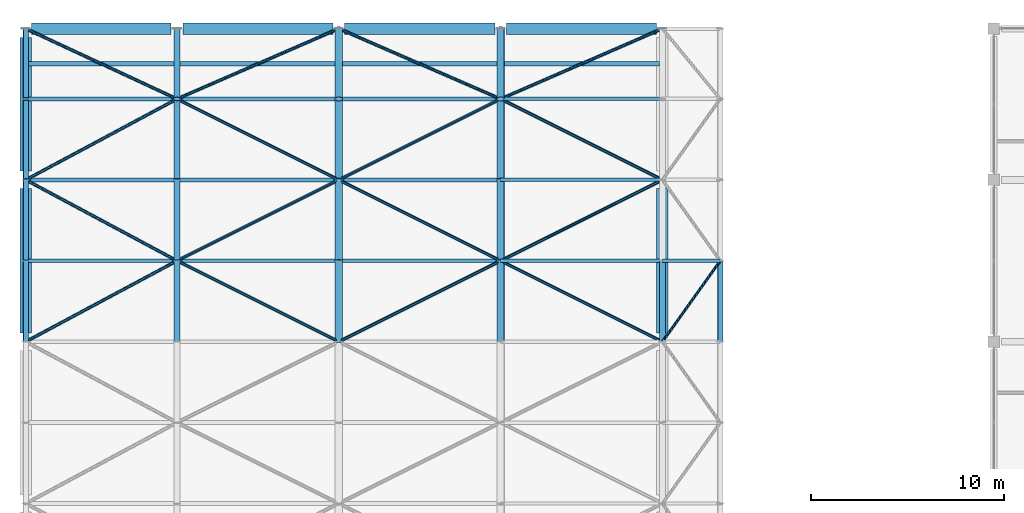
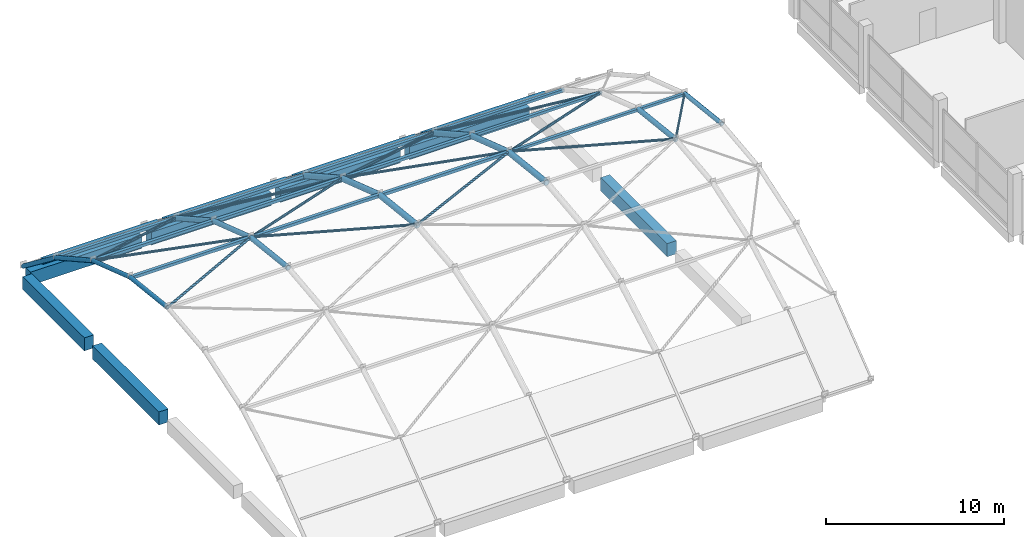
# One storey, part 4 of 38: 30 members, 29 beams.
"""IFC4 building model written with IfcOpenShell, lengths in metres."""

from ifc_helpers import new_model, si_unit, direction, frame, origin, origin_2d, place, context, subcontext, project, spatial, rectangle, hollow_rectangle, hollow_circle, i_section, extrude, material, material_profile, profile_set, type_object, element, save


model = new_model("IFC4")

# Units and contexts
model_context = context("Model", 3, precision=1e-05, world=origin(), true_north=direction((0.0, 1.0)))
body_context = subcontext(model_context, "Body", "Model", "MODEL_VIEW")
ifc_project = project(units=[si_unit("LENGTHUNIT", "METRE"), si_unit("AREAUNIT", "SQUARE_METRE"), si_unit("VOLUMEUNIT", "CUBIC_METRE"), si_unit("PLANEANGLEUNIT", "RADIAN"), si_unit("MASSUNIT", "GRAM", prefix="KILO")], contexts=[model_context])

# Site, building, storey
site_placement = place(None, origin())
site = spatial("IfcSite", under=ifc_project, at=site_placement, CompositionType="ELEMENT")
building_placement = place(site_placement, origin())
building = spatial("IfcBuilding", under=site, at=building_placement, Name="Brinegate Botanical Conservatory", CompositionType="ELEMENT")
storey_placement = place(building_placement, frame((0.0, 0.0, 10.199951171875)))
storey = spatial("IfcBuildingStorey", under=building, at=storey_placement, Name="L03", CompositionType="ELEMENT", Elevation=10.199951171875)

# Beams
ifc_material_1 = material(Name="Structural steel Q355B / S355", Category="steel")
ifc_material_profile_1 = material_profile(ifc_material_1, hollow_circle(Radius=0.16259765625, WallThickness=0.013916015625, at=origin_2d()), Name="CHS 325x14")
ifc_profile_set_1 = profile_set([ifc_material_profile_1], Name="Structural steel Q355B / S355")
beam_type_1 = type_object("IfcBeamType", Name="Beam_GA-01", PredefinedType="BEAM", material=ifc_profile_set_1)
beam_1_placement = place(storey_placement, frame((8.39990234375, 95.199951171875, 7.337646484375), z_axis=(0.0, 0.99382299669, -0.110976805013), x_axis=(-1.0, 0.0, 0.0)))
element("IfcBeam", 1, at=beam_1_placement, inside=storey, type_object=beam_type_1, Name="Conservatory vault arch rib GA-01 WP-014-WP-015", PredefinedType="BEAM", context=body_context, shape_type="SweptSolid", body=[
    extrude(hollow_circle(Radius=0.16259765625, WallThickness=0.013916015625, at=origin_2d()), origin(), (0.0, 0.0, 1.0), 4.22607421875),
])
beam_2_placement = place(storey_placement, frame((8.39990234375, 99.39990234375, 6.86865234375), z_axis=(0.0, 0.948280155902, -0.317434632518), x_axis=(-1.0, 0.0, 0.0)))
element("IfcBeam", 2, at=beam_2_placement, inside=storey, type_object=beam_type_1, Name="Conservatory vault arch rib GA-01 WP-015-WP-016", PredefinedType="BEAM", context=body_context, shape_type="SweptSolid", body=[
    extrude(hollow_circle(Radius=0.16259765625, WallThickness=0.013916015625, at=origin_2d()), origin(), (0.0, 0.0, 1.0), 4.42919921875),
])
beam_3_placement = place(storey_placement, frame((8.39990234375, 103.60009765625, 5.462646484375), z_axis=(0.0, 0.873212270068, -0.487340057253), x_axis=(-1.0, 0.0, 0.0)))
element("IfcBeam", 3, at=beam_3_placement, inside=storey, type_object=beam_type_1, Name="Conservatory vault arch rib GA-01 WP-016-WP-017", PredefinedType="BEAM", context=body_context, shape_type="SweptSolid", body=[
    extrude(hollow_circle(Radius=0.16259765625, WallThickness=0.013916015625, at=origin_2d()), origin(), (0.0, 0.0, 1.0), 4.809814453125),
])
beam_4_placement = place(storey_placement, frame((8.39990234375, 107.800048828125, 3.11865234375), z_axis=(0.0, 0.793623449281, -0.608409254328), x_axis=(-1.0, 0.0, 0.0)))
element("IfcBeam", 4, at=beam_4_placement, inside=storey, type_object=beam_type_1, Name="Conservatory vault arch rib GA-01 WP-017-WP-018", PredefinedType="BEAM", context=body_context, shape_type="SweptSolid", body=[
    extrude(hollow_circle(Radius=0.16259765625, WallThickness=0.013916015625, at=origin_2d()), origin(), (0.0, 0.0, 1.0), 4.59912109375),
])
beam_5_placement = place(storey_placement, frame((33.60009765625, 95.199951171875, 7.337646484375), z_axis=(0.0, 0.99382299669, -0.110976805013), x_axis=(-1.0, 0.0, 0.0)))
element("IfcBeam", 5, at=beam_5_placement, inside=storey, type_object=beam_type_1, Name="Conservatory vault arch rib GA-01 WP-041-WP-042", PredefinedType="BEAM", context=body_context, shape_type="SweptSolid", body=[
    extrude(hollow_circle(Radius=0.16259765625, WallThickness=0.013916015625, at=origin_2d()), origin(), (0.0, 0.0, 1.0), 4.22607421875),
])
ifc_material_profile_2 = material_profile(ifc_material_1, hollow_circle(Radius=0.136474609375, WallThickness=0.011962890625, at=origin_2d()), Name="CHS 273x12")
ifc_profile_set_2 = profile_set([ifc_material_profile_2], Name="Structural steel Q355B / S355")
beam_type_2 = type_object("IfcBeamType", Name="Beam_GA-02", PredefinedType="BEAM", material=ifc_profile_set_2)
beam_6_placement = place(storey_placement, frame((0.550048828125, 95.199951171875, 7.363525390625), z_axis=(0.0, 0.993829366657, -0.110919745625), x_axis=(-1.0, 0.0, 0.0)))
element("IfcBeam", 6, at=beam_6_placement, inside=storey, type_object=beam_type_2, Name="Conservatory vault arch rib GA-02 WP-005-WP-006", PredefinedType="BEAM", context=body_context, shape_type="SweptSolid", body=[
    extrude(hollow_circle(Radius=0.136474609375, WallThickness=0.011962890625, at=origin_2d()), origin(), (0.0, 0.0, 1.0), 4.22607421875),
])
beam_7_placement = place(storey_placement, frame((0.550048828125, 99.39990234375, 6.894775390625), z_axis=(0.0, 0.948263562918, -0.317484196838), x_axis=(-1.0, 0.0, 0.0)))
element("IfcBeam", 7, at=beam_7_placement, inside=storey, type_object=beam_type_2, Name="Conservatory vault arch rib GA-02 WP-006-WP-007", PredefinedType="BEAM", context=body_context, shape_type="SweptSolid", body=[
    extrude(hollow_circle(Radius=0.136474609375, WallThickness=0.011962890625, at=origin_2d()), origin(), (0.0, 0.0, 1.0), 4.429443359375),
])
beam_8_placement = place(storey_placement, frame((0.550048828125, 103.60009765625, 5.488525390625), z_axis=(0.0, 0.873233870432, -0.487301351866), x_axis=(-1.0, 0.0, 0.0)))
element("IfcBeam", 8, at=beam_8_placement, inside=storey, type_object=beam_type_2, Name="Conservatory vault arch rib GA-02 WP-007-WP-008", PredefinedType="BEAM", context=body_context, shape_type="SweptSolid", body=[
    extrude(hollow_circle(Radius=0.136474609375, WallThickness=0.011962890625, at=origin_2d()), origin(), (0.0, 0.0, 1.0), 4.8095703125),
])
beam_9_placement = place(storey_placement, frame((0.550048828125, 107.800048828125, 3.144775390625), z_axis=(0.0, 0.793597817339, -0.608442687782), x_axis=(-1.0, 0.0, 0.0)))
element("IfcBeam", 9, at=beam_9_placement, inside=storey, type_object=beam_type_2, Name="Conservatory vault arch rib GA-02 WP-008-WP-009", PredefinedType="BEAM", context=body_context, shape_type="SweptSolid", body=[
    extrude(hollow_circle(Radius=0.136474609375, WallThickness=0.011962890625, at=origin_2d()), origin(), (0.0, 0.0, 1.0), 4.59912109375),
])
beam_10_placement = place(storey_placement, frame((36.60009765625, 95.199951171875, 7.363525390625), z_axis=(0.0, 0.993829366657, -0.110919745625), x_axis=(-1.0, 0.0, 0.0)))
element("IfcBeam", 10, at=beam_10_placement, inside=storey, type_object=beam_type_2, Name="Conservatory vault arch rib GA-02 WP-050-WP-051", PredefinedType="BEAM", context=body_context, shape_type="SweptSolid", body=[
    extrude(hollow_circle(Radius=0.136474609375, WallThickness=0.011962890625, at=origin_2d()), origin(), (0.0, 0.0, 1.0), 4.22607421875),
])
ifc_material_profile_3 = material_profile(ifc_material_1, hollow_circle(Radius=0.1884765625, WallThickness=0.01611328125, at=origin_2d()), Name="CHS 377x16")
ifc_profile_set_3 = profile_set([ifc_material_profile_3], Name="Structural steel Q355B / S355")
beam_type_3 = type_object("IfcBeamType", Name="Beam_GA-03", PredefinedType="BEAM", material=ifc_profile_set_3)
beam_11_placement = place(storey_placement, frame((16.800048828125, 95.199951171875, 7.3115234375), z_axis=(0.0, 0.993829366657, -0.110919745625), x_axis=(-1.0, 0.0, 0.0)))
element("IfcBeam", 11, at=beam_11_placement, inside=storey, type_object=beam_type_3, Name="Conservatory vault arch rib GA-03 WP-023-WP-024", PredefinedType="BEAM", context=body_context, shape_type="SweptSolid", body=[
    extrude(hollow_circle(Radius=0.1884765625, WallThickness=0.01611328125, at=origin_2d()), origin(), (0.0, 0.0, 1.0), 4.22607421875),
])
beam_12_placement = place(storey_placement, frame((16.800048828125, 99.39990234375, 6.8427734375), z_axis=(0.0, 0.948263562918, -0.317484196838), x_axis=(-1.0, 0.0, 0.0)))
element("IfcBeam", 12, at=beam_12_placement, inside=storey, type_object=beam_type_3, Name="Conservatory vault arch rib GA-03 WP-024-WP-025", PredefinedType="BEAM", context=body_context, shape_type="SweptSolid", body=[
    extrude(hollow_circle(Radius=0.1884765625, WallThickness=0.01611328125, at=origin_2d()), origin(), (0.0, 0.0, 1.0), 4.429443359375),
])
beam_13_placement = place(storey_placement, frame((16.800048828125, 103.60009765625, 5.4365234375), z_axis=(0.0, 0.873233870432, -0.487301351866), x_axis=(-1.0, 0.0, 0.0)))
element("IfcBeam", 13, at=beam_13_placement, inside=storey, type_object=beam_type_3, Name="Conservatory vault arch rib GA-03 WP-025-WP-026", PredefinedType="BEAM", context=body_context, shape_type="SweptSolid", body=[
    extrude(hollow_circle(Radius=0.1884765625, WallThickness=0.01611328125, at=origin_2d()), origin(), (0.0, 0.0, 1.0), 4.8095703125),
])
beam_14_placement = place(storey_placement, frame((16.800048828125, 107.800048828125, 3.0927734375), z_axis=(0.0, 0.793597817339, -0.608442687782), x_axis=(-1.0, 0.0, 0.0)))
element("IfcBeam", 14, at=beam_14_placement, inside=storey, type_object=beam_type_3, Name="Conservatory vault arch rib GA-03 WP-026-WP-027", PredefinedType="BEAM", context=body_context, shape_type="SweptSolid", body=[
    extrude(hollow_circle(Radius=0.1884765625, WallThickness=0.01611328125, at=origin_2d()), origin(), (0.0, 0.0, 1.0), 4.59912109375),
])
beam_15_placement = place(storey_placement, frame((25.199951171875, 95.199951171875, 7.3115234375), z_axis=(0.0, 0.993829366657, -0.110919745625), x_axis=(-1.0, 0.0, 0.0)))
element("IfcBeam", 15, at=beam_15_placement, inside=storey, type_object=beam_type_3, Name="Conservatory vault arch rib GA-03 WP-032-WP-033", PredefinedType="BEAM", context=body_context, shape_type="SweptSolid", body=[
    extrude(hollow_circle(Radius=0.1884765625, WallThickness=0.01611328125, at=origin_2d()), origin(), (0.0, 0.0, 1.0), 4.22607421875),
])
beam_16_placement = place(storey_placement, frame((25.199951171875, 99.39990234375, 6.8427734375), z_axis=(0.0, 0.948263562918, -0.317484196838), x_axis=(-1.0, 0.0, 0.0)))
element("IfcBeam", 16, at=beam_16_placement, inside=storey, type_object=beam_type_3, Name="Conservatory vault arch rib GA-03 WP-033-WP-034", PredefinedType="BEAM", context=body_context, shape_type="SweptSolid", body=[
    extrude(hollow_circle(Radius=0.1884765625, WallThickness=0.01611328125, at=origin_2d()), origin(), (0.0, 0.0, 1.0), 4.429443359375),
])
beam_17_placement = place(storey_placement, frame((25.199951171875, 103.60009765625, 5.4365234375), z_axis=(0.0, 0.873233870432, -0.487301351866), x_axis=(-1.0, 0.0, 0.0)))
element("IfcBeam", 17, at=beam_17_placement, inside=storey, type_object=beam_type_3, Name="Conservatory vault arch rib GA-03 WP-034-WP-035", PredefinedType="BEAM", context=body_context, shape_type="SweptSolid", body=[
    extrude(hollow_circle(Radius=0.1884765625, WallThickness=0.01611328125, at=origin_2d()), origin(), (0.0, 0.0, 1.0), 4.8095703125),
])
beam_18_placement = place(storey_placement, frame((25.199951171875, 107.800048828125, 3.0927734375), z_axis=(0.0, 0.793597817339, -0.608442687782), x_axis=(-1.0, 0.0, 0.0)))
element("IfcBeam", 18, at=beam_18_placement, inside=storey, type_object=beam_type_3, Name="Conservatory vault arch rib GA-03 WP-035-WP-036", PredefinedType="BEAM", context=body_context, shape_type="SweptSolid", body=[
    extrude(hollow_circle(Radius=0.1884765625, WallThickness=0.01611328125, at=origin_2d()), origin(), (0.0, 0.0, 1.0), 4.59912109375),
])
ifc_material_2 = material(Name="Concrete C40/50", Category="concrete")
ifc_material_profile_4 = material_profile(ifc_material_2, rectangle(XDim=0.60009765625, YDim=0.89990234375, at=origin_2d()), Name="RC RB 600x900")
ifc_profile_set_4 = profile_set([ifc_material_profile_4], Name="Concrete C40/50")
beam_type_4 = type_object("IfcBeamType", Name="Beam_RB-V1", PredefinedType="BEAM", material=ifc_profile_set_4)
beam_19_placement = place(storey_placement, frame((0.85009765625, 111.449951171875, -0.449951171875), z_axis=(1.0, 0.0, 0.0), x_axis=(0.0, 1.0, 0.0)))
element("IfcBeam", 19, at=beam_19_placement, inside=storey, type_object=beam_type_4, Name="Conservatory vault ring beam RB-V1 north 1", PredefinedType="BEAM", context=body_context, shape_type="SweptSolid", body=[
    extrude(rectangle(XDim=0.60009765625, YDim=0.89990234375, at=origin_2d()), origin(), (0.0, 0.0, 1.0), 7.25),
])
beam_20_placement = place(storey_placement, frame((8.699951171875, 111.449951171875, -0.449951171875), z_axis=(1.0, 0.0, 0.0), x_axis=(0.0, 1.0, 0.0)))
element("IfcBeam", 20, at=beam_20_placement, inside=storey, type_object=beam_type_4, Name="Conservatory vault ring beam RB-V1 north 2", PredefinedType="BEAM", context=body_context, shape_type="SweptSolid", body=[
    extrude(rectangle(XDim=0.60009765625, YDim=0.89990234375, at=origin_2d()), origin(), (0.0, 0.0, 1.0), 7.800048828125),
])
beam_21_placement = place(storey_placement, frame((17.10009765625, 111.449951171875, -0.449951171875), z_axis=(1.0, 0.0, 0.0), x_axis=(0.0, 1.0, 0.0)))
element("IfcBeam", 21, at=beam_21_placement, inside=storey, type_object=beam_type_4, Name="Conservatory vault ring beam RB-V1 north 3", PredefinedType="BEAM", context=body_context, shape_type="SweptSolid", body=[
    extrude(rectangle(XDim=0.60009765625, YDim=0.89990234375, at=origin_2d()), origin(), (0.0, 0.0, 1.0), 7.7998046875),
])
beam_22_placement = place(storey_placement, frame((25.5, 111.449951171875, -0.449951171875), z_axis=(1.0, 0.0, 0.0), x_axis=(0.0, 1.0, 0.0)))
element("IfcBeam", 22, at=beam_22_placement, inside=storey, type_object=beam_type_4, Name="Conservatory vault ring beam RB-V1 north 4", PredefinedType="BEAM", context=body_context, shape_type="SweptSolid", body=[
    extrude(rectangle(XDim=0.60009765625, YDim=0.89990234375, at=origin_2d()), origin(), (0.0, 0.0, 1.0), 7.800048828125),
])
for number, where, z_axis, x_axis, name in (
    (23, (0.550048828125, 95.64990234375, -0.449951171875), (0.0, 1.0, 0.0), (-1.0, 0.0, 0.0), "Conservatory vault ring beam RB-V1 west 3"),
    (24, (33.60009765625, 95.64990234375, -0.449951171875), (0.0, 1.0, 0.0), (-1.0, 0.0, 0.0), "Conservatory vault ring beam RB-V1 east 3"),
):
    element("IfcBeam", number, at=place(storey_placement, frame(where, z_axis=z_axis, x_axis=x_axis)), inside=storey, type_object=beam_type_4, Name=name, PredefinedType="BEAM", context=body_context, shape_type="SweptSolid", body=[
        extrude(rectangle(XDim=0.60009765625, YDim=0.89990234375, at=origin_2d()), origin(), (0.0, 0.0, 1.0), 7.5),
    ])
beam_23_placement = place(storey_placement, frame((0.550048828125, 104.050048828125, -0.449951171875), z_axis=(0.0, 1.0, 0.0), x_axis=(-1.0, 0.0, 0.0)))
element("IfcBeam", 25, at=beam_23_placement, inside=storey, type_object=beam_type_4, Name="Conservatory vault ring beam RB-V1 west 4", PredefinedType="BEAM", context=body_context, shape_type="SweptSolid", body=[
    extrude(rectangle(XDim=0.60009765625, YDim=0.89990234375, at=origin_2d()), origin(), (0.0, 0.0, 1.0), 6.949951171875),
])
ifc_material_profile_5 = material_profile(ifc_material_1, i_section(OverallWidth=0.25, OverallDepth=0.340087890625, WebThickness=0.009033203125, FlangeThickness=0.013916015625, at=origin_2d()), Name="HM 340x250x9x14")
ifc_profile_set_5 = profile_set([ifc_material_profile_5], Name="Structural steel Q355B / S355")
beam_type_5 = type_object("IfcBeamType", Name="Beam_SP-03", PredefinedType="SPANDREL", material=ifc_profile_set_5)
beam_24_placement = place(storey_placement, frame((0.6865234375, 109.625, 1.750732421875), z_axis=(1.0, 0.0, 0.0), x_axis=(0.0, 1.0, 0.0)))
element("IfcBeam", 26, at=beam_24_placement, inside=storey, type_object=beam_type_5, Name="Conservatory storm-eave edge beam SP-03 5", PredefinedType="SPANDREL", context=body_context, shape_type="SweptSolid", body=[
    extrude(i_section(OverallWidth=0.25, OverallDepth=0.340087890625, WebThickness=0.009033203125, FlangeThickness=0.013916015625, at=origin_2d()), origin(), (0.0, 0.0, 1.0), 7.551025390625),
])
beam_25_placement = place(storey_placement, frame((8.5625, 109.625, 1.750732421875), z_axis=(1.0, 0.0, 0.0), x_axis=(0.0, 1.0, 0.0)))
element("IfcBeam", 27, at=beam_25_placement, inside=storey, type_object=beam_type_5, Name="Conservatory storm-eave edge beam SP-03 6", PredefinedType="SPANDREL", context=body_context, shape_type="SweptSolid", body=[
    extrude(i_section(OverallWidth=0.25, OverallDepth=0.340087890625, WebThickness=0.009033203125, FlangeThickness=0.013916015625, at=origin_2d()), origin(), (0.0, 0.0, 1.0), 8.049072265625),
])
beam_26_placement = place(storey_placement, frame((16.988525390625, 109.625, 1.750732421875), z_axis=(1.0, 0.0, 0.0), x_axis=(0.0, 1.0, 0.0)))
element("IfcBeam", 28, at=beam_26_placement, inside=storey, type_object=beam_type_5, Name="Conservatory storm-eave edge beam SP-03 7", PredefinedType="SPANDREL", context=body_context, shape_type="SweptSolid", body=[
    extrude(i_section(OverallWidth=0.25, OverallDepth=0.340087890625, WebThickness=0.009033203125, FlangeThickness=0.013916015625, at=origin_2d()), origin(), (0.0, 0.0, 1.0), 8.02294921875),
])
beam_27_placement = place(storey_placement, frame((25.388427734375, 109.625, 1.750732421875), z_axis=(1.0, 0.0, 0.0), x_axis=(0.0, 1.0, 0.0)))
element("IfcBeam", 29, at=beam_27_placement, inside=storey, type_object=beam_type_5, Name="Conservatory storm-eave edge beam SP-03 8", PredefinedType="SPANDREL", context=body_context, shape_type="SweptSolid", body=[
    extrude(i_section(OverallWidth=0.25, OverallDepth=0.340087890625, WebThickness=0.009033203125, FlangeThickness=0.013916015625, at=origin_2d()), origin(), (0.0, 0.0, 1.0), 8.049072265625),
])

# Members
ifc_material_profile_6 = material_profile(ifc_material_1, hollow_circle(Radius=0.083984375, WallThickness=0.008056640625, at=origin_2d()), Name="CHS 168x8")
ifc_profile_set_6 = profile_set([ifc_material_profile_6], Name="Structural steel Q355B / S355")
member_type_1 = type_object("IfcMemberType", Name="Member_GD-01", PredefinedType="BRACE", material=ifc_profile_set_6)
member_1_placement = place(storey_placement, frame((0.550048828125, 95.199951171875, 7.3759765625), z_axis=(0.880510560575, 0.471104505756, -0.052551854127), x_axis=(-0.471756380315, 0.881728936597, 0.0)))
element("IfcMember", 30, at=member_1_placement, inside=storey, type_object=member_type_1, Name="Conservatory gridshell diagrid brace GD-01 WP-005-WP-015", PredefinedType="BRACE", context=body_context, shape_type="SweptSolid", body=[
    extrude(hollow_circle(Radius=0.083984375, WallThickness=0.008056640625, at=origin_2d()), origin(), (0.0, 0.0, 1.0), 8.9150390625),
])
member_2_placement = place(storey_placement, frame((8.39990234375, 99.39990234375, 6.907470703125), z_axis=(-0.870916296371, 0.465998319372, -0.156046054284), x_axis=(-0.471777699734, -0.881717529617, 0.0)))
element("IfcMember", 31, at=member_2_placement, inside=storey, type_object=member_type_1, Name="Conservatory gridshell diagrid brace GD-01 WP-015-WP-007", PredefinedType="BRACE", context=body_context, shape_type="SweptSolid", body=[
    extrude(hollow_circle(Radius=0.083984375, WallThickness=0.008056640625, at=origin_2d()), origin(), (0.0, 0.0, 1.0), 9.013427734375),
])
member_3_placement = place(storey_placement, frame((0.550048828125, 103.60009765625, 5.5009765625), z_axis=(0.852681935115, 0.45621520013, -0.254560815326), x_axis=(-0.471756380315, 0.881728936597, 0.0)))
element("IfcMember", 32, at=member_3_placement, inside=storey, type_object=member_type_1, Name="Conservatory gridshell diagrid brace GD-01 WP-007-WP-017", PredefinedType="BRACE", context=body_context, shape_type="SweptSolid", body=[
    extrude(hollow_circle(Radius=0.083984375, WallThickness=0.008056640625, at=origin_2d()), origin(), (0.0, 0.0, 1.0), 9.2060546875),
])
member_4_placement = place(storey_placement, frame((8.39990234375, 107.800048828125, 3.157470703125), z_axis=(-0.862815641146, 0.401178547418, -0.307579164582), x_axis=(-0.421617512715, -0.906773771661, 0.0)))
element("IfcMember", 33, at=member_4_placement, inside=storey, type_object=member_type_1, Name="Conservatory gridshell diagrid brace GD-01 WP-017-WP-009", PredefinedType="BRACE", context=body_context, shape_type="SweptSolid", body=[
    extrude(hollow_circle(Radius=0.083984375, WallThickness=0.008056640625, at=origin_2d()), origin(), (0.0, 0.0, 1.0), 9.097900390625),
])
member_5_placement = place(storey_placement, frame((16.800048828125, 95.199951171875, 7.3759765625), z_axis=(-0.893321530313, 0.446647783474, -0.04982369915), x_axis=(-0.447203197209, -0.89443239007, 0.0)))
element("IfcMember", 34, at=member_5_placement, inside=storey, type_object=member_type_1, Name="Conservatory gridshell diagrid brace GD-01 WP-023-WP-015", PredefinedType="BRACE", context=body_context, shape_type="SweptSolid", body=[
    extrude(hollow_circle(Radius=0.083984375, WallThickness=0.008056640625, at=origin_2d()), origin(), (0.0, 0.0, 1.0), 9.4033203125),
])
member_6_placement = place(storey_placement, frame((8.39990234375, 99.39990234375, 6.907470703125), z_axis=(0.884557644063, 0.442291676358, -0.148107553331), x_axis=(-0.44722399361, 0.89442199187, 0.0)))
element("IfcMember", 35, at=member_6_placement, inside=storey, type_object=member_type_1, Name="Conservatory gridshell diagrid brace GD-01 WP-015-WP-025", PredefinedType="BRACE", context=body_context, shape_type="SweptSolid", body=[
    extrude(hollow_circle(Radius=0.083984375, WallThickness=0.008056640625, at=origin_2d()), origin(), (0.0, 0.0, 1.0), 9.496337890625),
])
member_7_placement = place(storey_placement, frame((16.800048828125, 103.60009765625, 5.5009765625), z_axis=(-0.86782230022, 0.43389853898, -0.242108473852), x_axis=(-0.447203197209, -0.89443239007, 0.0)))
element("IfcMember", 36, at=member_7_placement, inside=storey, type_object=member_type_1, Name="Conservatory gridshell diagrid brace GD-01 WP-025-WP-017", PredefinedType="BRACE", context=body_context, shape_type="SweptSolid", body=[
    extrude(hollow_circle(Radius=0.083984375, WallThickness=0.008056640625, at=origin_2d()), origin(), (0.0, 0.0, 1.0), 9.6796875),
])
member_8_placement = place(storey_placement, frame((8.39990234375, 107.800048828125, 3.157470703125), z_axis=(0.87713569164, 0.381119498649, -0.292200113279), x_axis=(-0.398511663518, 0.917163264659, 0.0)))
element("IfcMember", 37, at=member_8_placement, inside=storey, type_object=member_type_1, Name="Conservatory gridshell diagrid brace GD-01 WP-017-WP-027", PredefinedType="BRACE", context=body_context, shape_type="SweptSolid", body=[
    extrude(hollow_circle(Radius=0.083984375, WallThickness=0.008056640625, at=origin_2d()), origin(), (0.0, 0.0, 1.0), 9.576904296875),
])
member_9_placement = place(storey_placement, frame((16.800048828125, 95.199951171875, 7.3759765625), z_axis=(0.893316286137, 0.446658143069, -0.049824854767), x_axis=(-0.4472135955, 0.894427191, 0.0)))
element("IfcMember", 38, at=member_9_placement, inside=storey, type_object=member_type_1, Name="Conservatory gridshell diagrid brace GD-01 WP-023-WP-033", PredefinedType="BRACE", context=body_context, shape_type="SweptSolid", body=[
    extrude(hollow_circle(Radius=0.083984375, WallThickness=0.008056640625, at=origin_2d()), origin(), (0.0, 0.0, 1.0), 9.403076171875),
])
member_10_placement = place(storey_placement, frame((25.199951171875, 99.39990234375, 6.907470703125), z_axis=(-0.884552050755, 0.442301734616, -0.148110921479), x_axis=(-0.447234392142, -0.894416792377, 0.0)))
element("IfcMember", 39, at=member_10_placement, inside=storey, type_object=member_type_1, Name="Conservatory gridshell diagrid brace GD-01 WP-033-WP-025", PredefinedType="BRACE", context=body_context, shape_type="SweptSolid", body=[
    extrude(hollow_circle(Radius=0.083984375, WallThickness=0.008056640625, at=origin_2d()), origin(), (0.0, 0.0, 1.0), 9.496337890625),
])
member_11_placement = place(storey_placement, frame((16.800048828125, 103.60009765625, 5.5009765625), z_axis=(0.867816073032, 0.433908036516, -0.242113773325), x_axis=(-0.4472135955, 0.894427191, 0.0)))
element("IfcMember", 40, at=member_11_placement, inside=storey, type_object=member_type_1, Name="Conservatory gridshell diagrid brace GD-01 WP-025-WP-035", PredefinedType="BRACE", context=body_context, shape_type="SweptSolid", body=[
    extrude(hollow_circle(Radius=0.083984375, WallThickness=0.008056640625, at=origin_2d()), origin(), (0.0, 0.0, 1.0), 9.679443359375),
])
member_12_placement = place(storey_placement, frame((25.199951171875, 107.800048828125, 3.157470703125), z_axis=(-0.87712981193, 0.381128020937, -0.292206647223), x_axis=(-0.398521406617, -0.917159031176, 0.0)))
element("IfcMember", 41, at=member_12_placement, inside=storey, type_object=member_type_1, Name="Conservatory gridshell diagrid brace GD-01 WP-035-WP-027", PredefinedType="BRACE", context=body_context, shape_type="SweptSolid", body=[
    extrude(hollow_circle(Radius=0.083984375, WallThickness=0.008056640625, at=origin_2d()), origin(), (0.0, 0.0, 1.0), 9.57666015625),
])
member_13_placement = place(storey_placement, frame((33.60009765625, 95.199951171875, 7.3759765625), z_axis=(-0.893321530313, 0.446647783474, -0.04982369915), x_axis=(-0.447203197209, -0.89443239007, 0.0)))
element("IfcMember", 42, at=member_13_placement, inside=storey, type_object=member_type_1, Name="Conservatory gridshell diagrid brace GD-01 WP-041-WP-033", PredefinedType="BRACE", context=body_context, shape_type="SweptSolid", body=[
    extrude(hollow_circle(Radius=0.083984375, WallThickness=0.008056640625, at=origin_2d()), origin(), (0.0, 0.0, 1.0), 9.4033203125),
])
member_14_placement = place(storey_placement, frame((25.199951171875, 99.39990234375, 6.907470703125), z_axis=(0.884557644063, 0.442291676358, -0.148107553331), x_axis=(-0.44722399361, 0.89442199187, 0.0)))
element("IfcMember", 43, at=member_14_placement, inside=storey, type_object=member_type_1, Name="Conservatory gridshell diagrid brace GD-01 WP-033-WP-043", PredefinedType="BRACE", context=body_context, shape_type="SweptSolid", body=[
    extrude(hollow_circle(Radius=0.083984375, WallThickness=0.008056640625, at=origin_2d()), origin(), (0.0, 0.0, 1.0), 9.496337890625),
])
member_15_placement = place(storey_placement, frame((33.60009765625, 103.60009765625, 5.5009765625), z_axis=(-0.86782230022, 0.43389853898, -0.242108473852), x_axis=(-0.447203197209, -0.89443239007, 0.0)))
element("IfcMember", 44, at=member_15_placement, inside=storey, type_object=member_type_1, Name="Conservatory gridshell diagrid brace GD-01 WP-043-WP-035", PredefinedType="BRACE", context=body_context, shape_type="SweptSolid", body=[
    extrude(hollow_circle(Radius=0.083984375, WallThickness=0.008056640625, at=origin_2d()), origin(), (0.0, 0.0, 1.0), 9.6796875),
])
member_16_placement = place(storey_placement, frame((25.199951171875, 107.800048828125, 3.157470703125), z_axis=(0.87713569164, 0.381119498649, -0.292200113279), x_axis=(-0.398511663518, 0.917163264659, 0.0)))
element("IfcMember", 45, at=member_16_placement, inside=storey, type_object=member_type_1, Name="Conservatory gridshell diagrid brace GD-01 WP-035-WP-045", PredefinedType="BRACE", context=body_context, shape_type="SweptSolid", body=[
    extrude(hollow_circle(Radius=0.083984375, WallThickness=0.008056640625, at=origin_2d()), origin(), (0.0, 0.0, 1.0), 9.576904296875),
])
ifc_material_profile_7 = material_profile(ifc_material_1, hollow_circle(Radius=0.070068359375, WallThickness=0.006103515625, at=origin_2d()), Name="CHS 140x6")
ifc_profile_set_7 = profile_set([ifc_material_profile_7], Name="Structural steel Q355B / S355")
member_type_2 = type_object("IfcMemberType", Name="Member_GD-02", PredefinedType="BRACE", material=ifc_profile_set_7)
member_17_placement = place(storey_placement, frame((33.60009765625, 95.199951171875, 7.39013671875), z_axis=(0.578857848593, 0.810391566516, -0.090493646415), x_axis=(-0.813730275137, 0.581242668191, 0.0)))
element("IfcMember", 46, at=member_17_placement, inside=storey, type_object=member_type_2, Name="Conservatory gridshell diagrid brace GD-02 WP-041-WP-051", PredefinedType="BRACE", context=body_context, shape_type="SweptSolid", body=[
    extrude(hollow_circle(Radius=0.070068359375, WallThickness=0.006103515625, at=origin_2d()), origin(), (0.0, 0.0, 1.0), 5.1826171875),
])
ifc_material_profile_8 = material_profile(ifc_material_1, hollow_rectangle(XDim=0.199951171875, YDim=0.199951171875, WallThickness=0.010009765625, at=origin_2d()), Name="SHS 200x200x10")
ifc_profile_set_8 = profile_set([ifc_material_profile_8], Name="Structural steel Q355B / S355")
member_type_3 = type_object("IfcMemberType", Name="Member_GP-01", PredefinedType="PURLIN", material=ifc_profile_set_8)
member_18_placement = place(storey_placement, frame((0.550048828125, 99.39990234375, 6.86328125), z_axis=(1.0, 0.0, 0.0), x_axis=(0.0, 1.0, 0.0)))
element("IfcMember", 47, at=member_18_placement, inside=storey, type_object=member_type_3, Name="Conservatory gridshell purlin GP-01 WP-006-WP-015", PredefinedType="PURLIN", context=body_context, shape_type="SweptSolid", body=[
    extrude(hollow_rectangle(XDim=0.199951171875, YDim=0.199951171875, WallThickness=0.010009765625, at=origin_2d()), origin(), (0.0, 0.0, 1.0), 7.849853515625),
])
member_19_placement = place(storey_placement, frame((8.39990234375, 99.39990234375, 6.86328125), z_axis=(1.0, 0.0, 0.0), x_axis=(0.0, 1.0, 0.0)))
element("IfcMember", 48, at=member_19_placement, inside=storey, type_object=member_type_3, Name="Conservatory gridshell purlin GP-01 WP-015-WP-024", PredefinedType="PURLIN", context=body_context, shape_type="SweptSolid", body=[
    extrude(hollow_rectangle(XDim=0.199951171875, YDim=0.199951171875, WallThickness=0.010009765625, at=origin_2d()), origin(), (0.0, 0.0, 1.0), 8.400146484375),
])
member_20_placement = place(storey_placement, frame((16.800048828125, 99.39990234375, 6.86328125), z_axis=(1.0, 0.0, 0.0), x_axis=(0.0, 1.0, 0.0)))
element("IfcMember", 49, at=member_20_placement, inside=storey, type_object=member_type_3, Name="Conservatory gridshell purlin GP-01 WP-024-WP-033", PredefinedType="PURLIN", context=body_context, shape_type="SweptSolid", body=[
    extrude(hollow_rectangle(XDim=0.199951171875, YDim=0.199951171875, WallThickness=0.010009765625, at=origin_2d()), origin(), (0.0, 0.0, 1.0), 8.39990234375),
])
member_21_placement = place(storey_placement, frame((0.550048828125, 103.60009765625, 5.45703125), z_axis=(1.0, 0.0, 0.0), x_axis=(0.0, 1.0, 0.0)))
element("IfcMember", 50, at=member_21_placement, inside=storey, type_object=member_type_3, Name="Conservatory gridshell purlin GP-01 WP-007-WP-016", PredefinedType="PURLIN", context=body_context, shape_type="SweptSolid", body=[
    extrude(hollow_rectangle(XDim=0.199951171875, YDim=0.199951171875, WallThickness=0.010009765625, at=origin_2d()), origin(), (0.0, 0.0, 1.0), 7.849853515625),
])
member_22_placement = place(storey_placement, frame((8.39990234375, 103.60009765625, 5.45703125), z_axis=(1.0, 0.0, 0.0), x_axis=(0.0, 1.0, 0.0)))
element("IfcMember", 51, at=member_22_placement, inside=storey, type_object=member_type_3, Name="Conservatory gridshell purlin GP-01 WP-016-WP-025", PredefinedType="PURLIN", context=body_context, shape_type="SweptSolid", body=[
    extrude(hollow_rectangle(XDim=0.199951171875, YDim=0.199951171875, WallThickness=0.010009765625, at=origin_2d()), origin(), (0.0, 0.0, 1.0), 8.400146484375),
])
member_23_placement = place(storey_placement, frame((16.800048828125, 103.60009765625, 5.45703125), z_axis=(1.0, 0.0, 0.0), x_axis=(0.0, 1.0, 0.0)))
element("IfcMember", 52, at=member_23_placement, inside=storey, type_object=member_type_3, Name="Conservatory gridshell purlin GP-01 WP-025-WP-034", PredefinedType="PURLIN", context=body_context, shape_type="SweptSolid", body=[
    extrude(hollow_rectangle(XDim=0.199951171875, YDim=0.199951171875, WallThickness=0.010009765625, at=origin_2d()), origin(), (0.0, 0.0, 1.0), 8.39990234375),
])
member_24_placement = place(storey_placement, frame((0.550048828125, 107.800048828125, 3.11328125), z_axis=(1.0, 0.0, 0.0), x_axis=(0.0, 1.0, 0.0)))
element("IfcMember", 53, at=member_24_placement, inside=storey, type_object=member_type_3, Name="Conservatory gridshell purlin GP-01 WP-008-WP-017", PredefinedType="PURLIN", context=body_context, shape_type="SweptSolid", body=[
    extrude(hollow_rectangle(XDim=0.199951171875, YDim=0.199951171875, WallThickness=0.010009765625, at=origin_2d()), origin(), (0.0, 0.0, 1.0), 7.849853515625),
])
member_25_placement = place(storey_placement, frame((8.39990234375, 107.800048828125, 3.11328125), z_axis=(1.0, 0.0, 0.0), x_axis=(0.0, 1.0, 0.0)))
element("IfcMember", 54, at=member_25_placement, inside=storey, type_object=member_type_3, Name="Conservatory gridshell purlin GP-01 WP-017-WP-026", PredefinedType="PURLIN", context=body_context, shape_type="SweptSolid", body=[
    extrude(hollow_rectangle(XDim=0.199951171875, YDim=0.199951171875, WallThickness=0.010009765625, at=origin_2d()), origin(), (0.0, 0.0, 1.0), 8.400146484375),
])
member_26_placement = place(storey_placement, frame((16.800048828125, 107.800048828125, 3.11328125), z_axis=(1.0, 0.0, 0.0), x_axis=(0.0, 1.0, 0.0)))
element("IfcMember", 55, at=member_26_placement, inside=storey, type_object=member_type_3, Name="Conservatory gridshell purlin GP-01 WP-026-WP-035", PredefinedType="PURLIN", context=body_context, shape_type="SweptSolid", body=[
    extrude(hollow_rectangle(XDim=0.199951171875, YDim=0.199951171875, WallThickness=0.010009765625, at=origin_2d()), origin(), (0.0, 0.0, 1.0), 8.39990234375),
])
ifc_material_profile_9 = material_profile(ifc_material_1, hollow_rectangle(XDim=0.179931640625, YDim=0.179931640625, WallThickness=0.010009765625, at=origin_2d()), Name="SHS 180x180x10")
ifc_profile_set_9 = profile_set([ifc_material_profile_9], Name="Structural steel Q355B / S355")
member_type_4 = type_object("IfcMemberType", Name="Member_GP-02", PredefinedType="PURLIN", material=ifc_profile_set_9)
member_27_placement = place(storey_placement, frame((25.199951171875, 99.39990234375, 6.873291015625), z_axis=(1.0, 0.0, 0.0), x_axis=(0.0, 1.0, 0.0)))
element("IfcMember", 56, at=member_27_placement, inside=storey, type_object=member_type_4, Name="Conservatory gridshell purlin GP-02 WP-033-WP-042", PredefinedType="PURLIN", context=body_context, shape_type="SweptSolid", body=[
    extrude(hollow_rectangle(XDim=0.179931640625, YDim=0.179931640625, WallThickness=0.010009765625, at=origin_2d()), origin(), (0.0, 0.0, 1.0), 8.400146484375),
])
member_28_placement = place(storey_placement, frame((33.60009765625, 99.39990234375, 6.873291015625), z_axis=(1.0, 0.0, 0.0), x_axis=(0.0, 1.0, 0.0)))
element("IfcMember", 57, at=member_28_placement, inside=storey, type_object=member_type_4, Name="Conservatory gridshell purlin GP-02 WP-042-WP-051", PredefinedType="PURLIN", context=body_context, shape_type="SweptSolid", body=[
    extrude(hollow_rectangle(XDim=0.179931640625, YDim=0.179931640625, WallThickness=0.010009765625, at=origin_2d()), origin(), (0.0, 0.0, 1.0), 3.0),
])
for number, where, z_axis, x_axis, name in (
    (58, (25.199951171875, 103.60009765625, 5.467041015625), (1.0, 0.0, 0.0), (0.0, 1.0, 0.0), "Conservatory gridshell purlin GP-02 WP-034-WP-043"),
    (59, (25.199951171875, 107.800048828125, 3.123291015625), (1.0, 0.0, 0.0), (0.0, 1.0, 0.0), "Conservatory gridshell purlin GP-02 WP-035-WP-044"),
):
    element("IfcMember", number, at=place(storey_placement, frame(where, z_axis=z_axis, x_axis=x_axis)), inside=storey, type_object=member_type_4, Name=name, PredefinedType="PURLIN", context=body_context, shape_type="SweptSolid", body=[
        extrude(hollow_rectangle(XDim=0.179931640625, YDim=0.179931640625, WallThickness=0.010009765625, at=origin_2d()), origin(), (0.0, 0.0, 1.0), 8.400146484375),
    ])

save(model, "model.ifc")
